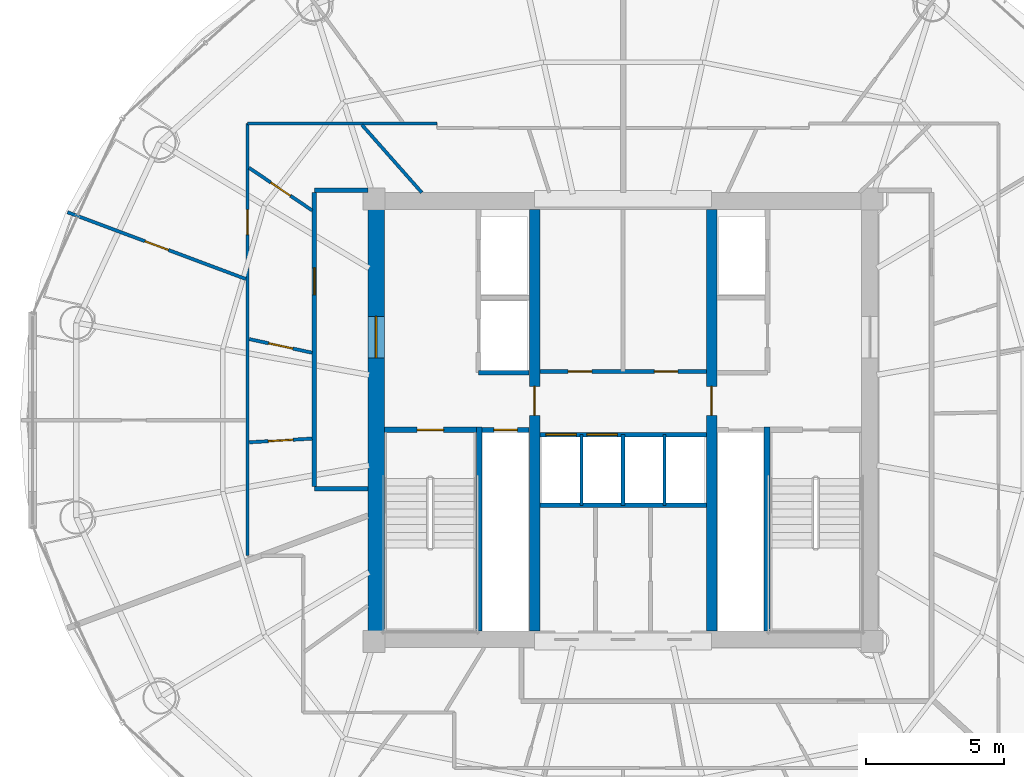
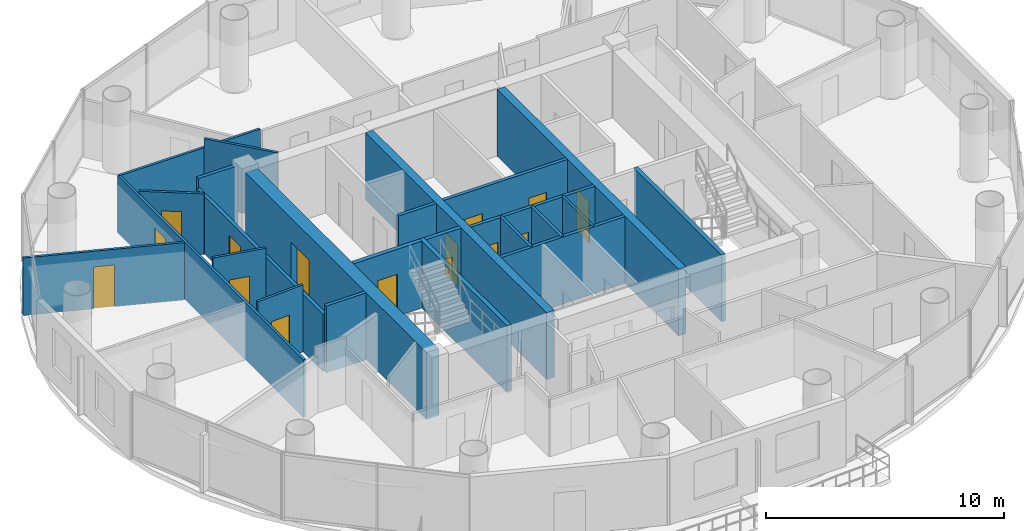
# One storey, part 21 of 26: 24 walls, 15 doors, 15 openings.
"""IFC4 building model written with IfcOpenShell, lengths in metres."""

from ifc_helpers import new_model, si_unit, direction, frame, frame_2d, origin, place, context, subcontext, project, spatial, rectangle, extrude, source, transform, mapped, material, layer, layer_set, type_object, element, fill, save


model = new_model("IFC4")

# Units and contexts
model_context = context("Model", 3, precision=1e-05, world=origin(), true_north=direction((-0.2419218956, 0.970295726276)))
body_context = subcontext(model_context, "Body", "Model", "MODEL_VIEW")
ifc_project = project(units=[si_unit("LENGTHUNIT", "METRE"), si_unit("AREAUNIT", "SQUARE_METRE"), si_unit("VOLUMEUNIT", "CUBIC_METRE"), si_unit("PLANEANGLEUNIT", "RADIAN"), si_unit("MASSUNIT", "GRAM", prefix="KILO")], contexts=[model_context])

# Site, building, storey
site_placement = place(None, origin())
site = spatial("IfcSite", under=ifc_project, at=site_placement, CompositionType="ELEMENT")
building_placement = place(site_placement, origin())
building = spatial("IfcBuilding", under=site, at=building_placement, Name="Cobrevalo Terracotta Tower", CompositionType="ELEMENT")
storey_placement = place(building_placement, frame((0.0, 0.0, 209.699951171875)))
storey = spatial("IfcBuildingStorey", under=building, at=storey_placement, Name="L55", CompositionType="ELEMENT", Elevation=209.699951171875)

# Wall, opening, door
ifc_material_1 = material(Name="Concrete C55", Category="concrete")
ifc_layer_1 = layer(ifc_material_1, 0.60009765625)
ifc_layer_set_1 = layer_set([ifc_layer_1], Name="Concrete C55")
wall_type_1 = type_object("IfcWallType", Name="Core shear wall 600 mm Concrete C55", PredefinedType="SHEAR", material=ifc_layer_set_1)
wall_1_placement = place(storey_placement, frame((29.074951171875, 19.175048828125, 0.0), z_axis=(0.0, 0.0, 1.0), x_axis=(0.0, 1.0, 0.0)))
wall_1 = element("IfcWall", 1, at=wall_1_placement, inside=storey, type_object=wall_type_1, Name="L55 west core shear wall", PredefinedType="SHEAR", context=body_context, shape_type="SweptSolid", body=[
    extrude(rectangle(XDim=15.25, YDim=0.60009765625, at=frame_2d((7.625, 0.0))), origin(), (0.0, 0.0, 1.0), 3.43505859375),
])
opening_1_placement = place(wall_1_placement, frame((9.875, 0.0, 0.0)))
opening_1 = element("IfcOpeningElement", 2, at=opening_1_placement, cuts=wall_1, Name="Opening ID-14", PredefinedType="OPENING", context=body_context, shape_type="SweptSolid", body=[
    extrude(rectangle(XDim=1.5, YDim=2.199951171875, at=frame_2d((0.75, 1.10009765625))), frame((0.0, 0.31005859375, 0.0), z_axis=(0.0, -1.0, 0.0), x_axis=(1.0, 0.0, 0.0)), (0.0, 0.0, 1.0), 0.6201171875),
])
ifc_material_2 = material(Name="Galvanized fire-rated steel", Category="steel")
door_type_1 = type_object("IfcDoorType", Name="Core cross-lobby double fire door 1500x2200 EI 90", OperationType="NOTDEFINED", PredefinedType="DOOR", material=ifc_material_2)
shared_shape_1 = source(origin(), body_context, "Body", "SweptSolid", [
    extrude(rectangle(XDim=1.5, YDim=2.199951171875, at=frame_2d((0.75, 1.10009765625))), frame((0.0, 0.02490234375, 0.0), z_axis=(0.0, -1.0, 0.0), x_axis=(1.0, 0.0, 0.0)), (0.0, 0.0, 1.0), 0.050048828125),
])
door_1_placement = place(opening_1_placement, origin())
door_1 = element("IfcDoor", 3, at=door_1_placement, inside=storey, type_object=door_type_1, Name="L55 west firefighting lobby entrance door", OperationType="DOUBLE_DOOR_SINGLE_SWING", OverallHeight=2.199951171875, OverallWidth=1.5, PredefinedType="DOOR", context=body_context, shape_type="MappedRepresentation", body=[
    mapped(shared_shape_1, transform((0.0, 0.0, 0.0), scale=1.0)),
])
fill(opening_1, door_1)

# Wall
ifc_material_3 = material(Name="Gypsum board on steel stud", Category="steel")
ifc_layer_2 = layer(ifc_material_3, 0.159912109375)
ifc_layer_set_2 = layer_set([ifc_layer_2], Name="Gypsum board on steel stud")
wall_type_2 = type_object("IfcWallType", Name="Fire-rated corridor acoustic partition wall 160 mm", PredefinedType="PARTITIONING", material=ifc_layer_set_2)
wall_2_placement = place(storey_placement, frame((32.77001953125, 28.52001953125, 0.0), z_axis=(0.0, 0.0, 1.0), x_axis=(1.0, 0.0, 0.0)))
element("IfcWall", 4, at=wall_2_placement, inside=storey, type_object=wall_type_2, Name="L55 interior partition IW-L55-FF1-S", PredefinedType="PARTITIONING", context=body_context, shape_type="SweptSolid", body=[
    extrude(rectangle(XDim=1.840087890625, YDim=0.159912109375, at=frame_2d((0.919921875, 0.0))), origin(), (0.0, 0.0, 1.0), 3.43505859375),
])

# Wall, openings, doors
wall_3_placement = place(storey_placement, frame((34.989990234375, 28.56005859375, 0.0), z_axis=(0.0, 0.0, 1.0), x_axis=(1.0, 0.0, 0.0)))
wall_3 = element("IfcWall", 5, at=wall_3_placement, inside=storey, type_object=wall_type_2, Name="L55 interior partition IW-L55-LB-S", PredefinedType="PARTITIONING", context=body_context, shape_type="SweptSolid", body=[
    extrude(rectangle(XDim=6.02001953125, YDim=0.159912109375, at=frame_2d((3.010009765625, 0.0))), origin(), (0.0, 0.0, 1.0), 3.43505859375),
])
opening_2_placement = place(wall_3_placement, frame((1.02490234375, 0.0, 0.0)))
opening_2 = element("IfcOpeningElement", 6, at=opening_2_placement, cuts=wall_3, Name="Opening ID-07", PredefinedType="OPENING", context=body_context, shape_type="SweptSolid", body=[
    extrude(rectangle(XDim=0.860107421875, YDim=2.10009765625, at=frame_2d((0.43017578125, 1.050048828125))), frame((0.0, 0.08984375, 0.0), z_axis=(0.0, -1.0, 0.0), x_axis=(1.0, 0.0, 0.0)), (0.0, 0.0, 1.0), 0.179931640625),
])
opening_3_placement = place(wall_3_placement, frame((4.139892578125, 0.0, 0.0)))
opening_3 = element("IfcOpeningElement", 7, at=opening_3_placement, cuts=wall_3, Name="Opening ID-22", PredefinedType="OPENING", context=body_context, shape_type="SweptSolid", body=[
    extrude(rectangle(XDim=0.85009765625, YDim=2.10009765625, at=frame_2d((0.425048828125, 1.050048828125))), frame((0.0, 0.08984375, 0.0), z_axis=(0.0, -1.0, 0.0), x_axis=(1.0, 0.0, 0.0)), (0.0, 0.0, 1.0), 0.179931640625),
])
ifc_material_4 = material(Name="Powder-coated steel", Category="steel")
door_type_2 = type_object("IfcDoorType", Name="Riser shaft & meter closet fire access door 850x2100 EI 60", OperationType="NOTDEFINED", PredefinedType="DOOR", material=ifc_material_4)
shared_shape_2 = source(origin(), body_context, "Body", "SweptSolid", [
    extrude(rectangle(XDim=0.85009765625, YDim=2.10009765625, at=frame_2d((0.425048828125, 1.050048828125))), frame((0.0, 0.02490234375, 0.0), z_axis=(0.0, -1.0, 0.0), x_axis=(1.0, 0.0, 0.0)), (0.0, 0.0, 1.0), 0.050048828125),
])
door_2_placement = place(opening_3_placement, origin())
door_2 = element("IfcDoor", 8, at=door_2_placement, inside=storey, type_object=door_type_2, Name="L55 core service door Floor Telecom and Metering Plant", OperationType="SINGLE_SWING_RIGHT", OverallHeight=2.10009765625, OverallWidth=0.85009765625, PredefinedType="DOOR", context=body_context, shape_type="MappedRepresentation", body=[
    mapped(shared_shape_2, transform((0.0, 0.0, 0.0), scale=1.0)),
])
fill(opening_3, door_2)
ifc_material_5 = material(Name="Fire-rated moisture-sealed timber", Category="wood")
door_type_3 = type_object("IfcDoorType", Name="Core & podium fire-rated accessible WC door 860x2100 EI 60", OperationType="NOTDEFINED", PredefinedType="DOOR", material=ifc_material_5)
shared_shape_3 = source(origin(), body_context, "Body", "SweptSolid", [
    extrude(rectangle(XDim=0.860107421875, YDim=2.10009765625, at=frame_2d((0.43017578125, 1.050048828125))), frame((0.0, 0.02490234375, 0.0), z_axis=(0.0, -1.0, 0.0), x_axis=(1.0, 0.0, 0.0)), (0.0, 0.0, 1.0), 0.050048828125),
])
door_3_placement = place(opening_2_placement, origin())
door_3 = element("IfcDoor", 9, at=door_3_placement, inside=storey, type_object=door_type_3, Name="L55 core service door Core Accessible Toilet WC", OperationType="SINGLE_SWING_LEFT", OverallHeight=2.10009765625, OverallWidth=0.860107421875, PredefinedType="DOOR", context=body_context, shape_type="MappedRepresentation", body=[
    mapped(shared_shape_3, transform((0.0, 0.0, 0.0), scale=1.0)),
])
fill(opening_2, door_3)

wall_4_placement = place(storey_placement, frame((34.989990234375, 26.280029296875, 0.0), z_axis=(0.0, 0.0, 1.0), x_axis=(1.0, 0.0, 0.0)))
wall_4 = element("IfcWall", 10, at=wall_4_placement, inside=storey, type_object=wall_type_2, Name="L55 interior partition IW-L55-MB-N", PredefinedType="PARTITIONING", context=body_context, shape_type="SweptSolid", body=[
    extrude(rectangle(XDim=6.02001953125, YDim=0.159912109375, at=frame_2d((3.010009765625, 0.0))), origin(), (0.0, 0.0, 1.0), 3.43505859375),
])
opening_4_placement = place(wall_4_placement, frame((0.22509765625, 0.0, 0.0)))
opening_4 = element("IfcOpeningElement", 11, at=opening_4_placement, cuts=wall_4, Name="Opening LD-01", PredefinedType="OPENING", context=body_context, shape_type="SweptSolid", body=[
    extrude(rectangle(XDim=1.10009765625, YDim=2.199951171875, at=frame_2d((0.550048828125, 1.10009765625))), frame((0.0, 0.08984375, 0.0), z_axis=(0.0, -1.0, 0.0), x_axis=(1.0, 0.0, 0.0)), (0.0, 0.0, 1.0), 0.179931640625),
])
opening_5_placement = place(wall_4_placement, frame((1.705078125, 0.0, 0.0)))
opening_5 = element("IfcOpeningElement", 12, at=opening_5_placement, cuts=wall_4, Name="Opening LD-01", PredefinedType="OPENING", context=body_context, shape_type="SweptSolid", body=[
    extrude(rectangle(XDim=1.10009765625, YDim=2.199951171875, at=frame_2d((0.550048828125, 1.10009765625))), frame((0.0, 0.08984375, 0.0), z_axis=(0.0, -1.0, 0.0), x_axis=(1.0, 0.0, 0.0)), (0.0, 0.0, 1.0), 0.179931640625),
])
ifc_material_6 = material(Name="Brushed stainless steel", Category="steel")
door_type_4 = type_object("IfcDoorType", Name="Passenger lift landing bi-parting sliding door 1100x2200 EI 90", OperationType="DOUBLE_DOOR_SLIDING", PredefinedType="DOOR", material=ifc_material_6)
shared_shape_4 = source(origin(), body_context, "Body", "SweptSolid", [
    extrude(rectangle(XDim=1.10009765625, YDim=2.199951171875, at=frame_2d((0.550048828125, 1.10009765625))), frame((0.0, 0.02490234375, 0.0), z_axis=(0.0, -1.0, 0.0), x_axis=(1.0, 0.0, 0.0)), (0.0, 0.0, 1.0), 0.050048828125),
])
door_4_placement = place(opening_4_placement, origin())
door_4 = element("IfcDoor", 13, at=door_4_placement, inside=storey, type_object=door_type_4, Name="L55 lift landing door PL-M1", OperationType="DOUBLE_DOOR_SLIDING", OverallHeight=2.199951171875, OverallWidth=1.10009765625, PredefinedType="DOOR", context=body_context, shape_type="MappedRepresentation", body=[
    mapped(shared_shape_4, transform((0.0, 0.0, 0.0), scale=1.0)),
])
fill(opening_4, door_4)
door_5_placement = place(opening_5_placement, origin())
door_5 = element("IfcDoor", 14, at=door_5_placement, inside=storey, type_object=door_type_4, Name="L55 lift landing door PL-M2", OperationType="DOUBLE_DOOR_SLIDING", OverallHeight=2.199951171875, OverallWidth=1.10009765625, PredefinedType="DOOR", context=body_context, shape_type="MappedRepresentation", body=[
    mapped(shared_shape_4, transform((0.0, 0.0, 0.0), scale=1.0)),
])
fill(opening_5, door_5)

# Wall
wall_5_placement = place(storey_placement, frame((34.989990234375, 23.719970703125, 0.0), z_axis=(0.0, 0.0, 1.0), x_axis=(1.0, 0.0, 0.0)))
element("IfcWall", 15, at=wall_5_placement, inside=storey, type_object=wall_type_2, Name="L55 interior partition IW-L55-MB-S", PredefinedType="PARTITIONING", context=body_context, shape_type="SweptSolid", body=[
    extrude(rectangle(XDim=6.02001953125, YDim=0.159912109375, at=frame_2d((3.010009765625, 0.0))), origin(), (0.0, 0.0, 1.0), 3.43505859375),
])

# Wall, opening, door
wall_6_placement = place(storey_placement, frame((26.844970703125, 24.39990234375, 0.0), z_axis=(0.0, 0.0, 1.0), x_axis=(0.0, 1.0, 0.0)))
wall_6 = element("IfcWall", 16, at=wall_6_placement, inside=storey, type_object=wall_type_2, Name="L55 interior partition IW-L55-COR-W", PredefinedType="PARTITIONING", context=body_context, shape_type="SweptSolid", body=[
    extrude(rectangle(XDim=10.625, YDim=0.159912109375, at=frame_2d((5.3125, 0.0))), origin(), (0.0, 0.0, 1.0), 2.950927734375),
])
opening_6_placement = place(wall_6_placement, frame((6.92724609375, 0.0, 0.0)))
opening_6 = element("IfcOpeningElement", 17, at=opening_6_placement, cuts=wall_6, Name="Opening ID-05", PredefinedType="OPENING", context=body_context, shape_type="SweptSolid", body=[
    extrude(rectangle(XDim=0.97998046875, YDim=2.199951171875, at=frame_2d((0.489990234375, 1.10009765625))), frame((0.0, 0.08984375, 0.0), z_axis=(0.0, -1.0, 0.0), x_axis=(1.0, 0.0, 0.0)), (0.0, 0.0, 1.0), 0.179931640625),
])
ifc_material_7 = material(Name="Solid hardwood timber", Category="wood")
door_type_5 = type_object("IfcDoorType", Name="Residence entrance fire-rated acoustic timber door 980x2200 EI 60", OperationType="NOTDEFINED", PredefinedType="DOOR", material=ifc_material_7)
shared_shape_5 = source(origin(), body_context, "Body", "SweptSolid", [
    extrude(rectangle(XDim=0.97998046875, YDim=2.199951171875, at=frame_2d((0.489990234375, 1.10009765625))), frame((0.0, 0.02490234375, 0.0), z_axis=(0.0, -1.0, 0.0), x_axis=(1.0, 0.0, 0.0)), (0.0, 0.0, 1.0), 0.050048828125),
])
door_6_placement = place(opening_6_placement, origin())
door_6 = element("IfcDoor", 18, at=door_6_placement, inside=storey, type_object=door_type_5, Name="Flat L55A fire-rated apartment entrance door", OperationType="SINGLE_SWING_RIGHT", OverallHeight=2.199951171875, OverallWidth=0.97998046875, PredefinedType="DOOR", context=body_context, shape_type="MappedRepresentation", body=[
    mapped(shared_shape_5, transform((0.0, 0.0, 0.0), scale=1.0)),
])
fill(opening_6, door_6)

# Walls
for number, where, z_axis, x_axis, name in (
    (19, (26.844970703125, 35.10498046875, 0.0), (0.0, 0.0, 1.0), (1.0, 0.0, 0.0), "L55 interior partition IW-L55-COR-WN-CAP"),
    (20, (26.844970703125, 24.320068359375, 0.0), (0.0, 0.0, 1.0), (1.0, 0.0, 0.0), "L55 interior partition IW-L55-COR-WS-CAP"),
):
    element("IfcWall", number, at=place(storey_placement, frame(where, z_axis=z_axis, x_axis=x_axis)), inside=storey, type_object=wall_type_2, Name=name, PredefinedType="PARTITIONING", context=body_context, shape_type="SweptSolid", body=[
        extrude(rectangle(XDim=1.929931640625, YDim=0.159912109375, at=frame_2d((0.96484375, 0.0))), origin(), (0.0, 0.0, 1.0), 3.43505859375),
    ])

# Wall, opening, door
ifc_layer_3 = layer(ifc_material_3, 0.179931640625)
ifc_layer_set_3 = layer_set([ifc_layer_3], Name="Gypsum board on steel stud")
wall_type_3 = type_object("IfcWallType", Name="Fire-rated shaft & lobby acoustic partition wall 180 mm", PredefinedType="PARTITIONING", material=ifc_layer_set_3)
wall_7_placement = place(storey_placement, frame((32.89990234375, 26.449951171875, 0.0), z_axis=(0.0, 0.0, 1.0), x_axis=(1.0, 0.0, 0.0)))
wall_7 = element("IfcWall", 21, at=wall_7_placement, inside=storey, type_object=wall_type_3, Name="L55 interior partition IW-L55-RSW-N", PredefinedType="PARTITIONING", context=body_context, shape_type="SweptSolid", body=[
    extrude(rectangle(XDim=1.710205078125, YDim=0.179931640625, at=frame_2d((0.85498046875, 0.0))), origin(), (0.0, 0.0, 1.0), 3.43505859375),
])
opening_7_placement = place(wall_7_placement, frame((0.429931640625, 0.0, 0.0)))
opening_7 = element("IfcOpeningElement", 22, at=opening_7_placement, cuts=wall_7, Name="Opening ID-22", PredefinedType="OPENING", context=body_context, shape_type="SweptSolid", body=[
    extrude(rectangle(XDim=0.85009765625, YDim=2.10009765625, at=frame_2d((0.425048828125, 1.050048828125))), frame((0.0, 0.10009765625, 0.0), z_axis=(0.0, -1.0, 0.0), x_axis=(1.0, 0.0, 0.0)), (0.0, 0.0, 1.0), 0.199951171875),
])
door_7_placement = place(opening_7_placement, origin())
door_7 = element("IfcDoor", 23, at=door_7_placement, inside=storey, type_object=door_type_2, Name="L55 riser access door RSW", OperationType="SINGLE_SWING_LEFT", OverallHeight=2.10009765625, OverallWidth=0.85009765625, PredefinedType="DOOR", context=body_context, shape_type="MappedRepresentation", body=[
    mapped(shared_shape_2, transform((0.0, 0.0, 0.0), scale=1.0)),
])
fill(opening_7, door_7)

# Walls
ifc_material_8 = material(Name="Autoclaved aerated concrete block", Category="concrete")
ifc_layer_4 = layer(ifc_material_8, 0.1201171875)
ifc_layer_set_4 = layer_set([ifc_layer_4], Name="Autoclaved aerated concrete block")
wall_type_4 = type_object("IfcWallType", Name="Fire-rated wet-room & core service partition 120 mm", PredefinedType="PARTITIONING", material=ifc_layer_set_4)
for number, where, z_axis, x_axis, name in (
    (24, (36.5, 23.719970703125, 0.0), (0.0, 0.0, 1.0), (0.0, 1.0, 0.0), "L55 interior partition IW-L55-MB-D1"),
    (25, (39.5, 23.719970703125, 0.0), (0.0, 0.0, 1.0), (0.0, 1.0, 0.0), "L55 interior partition IW-L55-MB-D3"),
):
    element("IfcWall", number, at=place(storey_placement, frame(where, z_axis=z_axis, x_axis=x_axis)), inside=storey, type_object=wall_type_4, Name=name, PredefinedType="PARTITIONING", context=body_context, shape_type="SweptSolid", body=[
        extrude(rectangle(XDim=2.56005859375, YDim=0.1201171875, at=frame_2d((1.280029296875, 0.0))), origin(), (0.0, 0.0, 1.0), 3.43505859375),
    ])

# Wall, opening, door
ifc_material_9 = material(Name="Concrete C50", Category="concrete")
ifc_layer_5 = layer(ifc_material_9, 0.3798828125)
ifc_layer_set_5 = layer_set([ifc_layer_5], Name="Concrete C50")
wall_type_5 = type_object("IfcWallType", Name="Internal core shear web wall 380 mm Concrete C50", PredefinedType="SHEAR", material=ifc_layer_set_5)
wall_8_placement = place(storey_placement, frame((34.800048828125, 19.175048828125, 0.0), z_axis=(0.0, 0.0, 1.0), x_axis=(0.0, 1.0, 0.0)))
wall_8 = element("IfcWall", 26, at=wall_8_placement, inside=storey, type_object=wall_type_5, Name="L55 internal core shear wall WEB-W", PredefinedType="SHEAR", context=body_context, shape_type="SweptSolid", body=[
    extrude(rectangle(XDim=15.25, YDim=0.3798828125, at=frame_2d((7.625, 0.0))), origin(), (0.0, 0.0, 1.0), 3.43505859375),
])
opening_8_placement = place(wall_8_placement, frame((7.800048828125, 0.0, 0.0)))
opening_8 = element("IfcOpeningElement", 27, at=opening_8_placement, cuts=wall_8, Name="Opening ID-11", PredefinedType="OPENING", context=body_context, shape_type="SweptSolid", body=[
    extrude(rectangle(XDim=1.050048828125, YDim=2.14990234375, at=frame_2d((0.52490234375, 1.074951171875))), frame((0.0, 0.199951171875, 0.0), z_axis=(0.0, -1.0, 0.0), x_axis=(1.0, 0.0, 0.0)), (0.0, 0.0, 1.0), 0.39990234375),
])
door_type_6 = type_object("IfcDoorType", Name="Core concourse cross fire door 1050x2150 EI 90", OperationType="NOTDEFINED", PredefinedType="DOOR", material=ifc_material_2)
shared_shape_6 = source(origin(), body_context, "Body", "SweptSolid", [
    extrude(rectangle(XDim=1.050048828125, YDim=2.14990234375, at=frame_2d((0.52490234375, 1.074951171875))), frame((0.0, 0.02490234375, 0.0), z_axis=(0.0, -1.0, 0.0), x_axis=(1.0, 0.0, 0.0)), (0.0, 0.0, 1.0), 0.050048828125),
])
door_8_placement = place(opening_8_placement, origin())
door_8 = element("IfcDoor", 28, at=door_8_placement, inside=storey, type_object=door_type_6, Name="L55 west core concourse cross door", OperationType="SINGLE_SWING_LEFT", OverallHeight=2.14990234375, OverallWidth=1.050048828125, PredefinedType="DOOR", context=body_context, shape_type="MappedRepresentation", body=[
    mapped(shared_shape_6, transform((0.0, 0.0, 0.0), scale=1.0)),
])
fill(opening_8, door_8)

wall_9_placement = place(storey_placement, frame((41.199951171875, 19.175048828125, 0.0), z_axis=(0.0, 0.0, 1.0), x_axis=(0.0, 1.0, 0.0)))
wall_9 = element("IfcWall", 29, at=wall_9_placement, inside=storey, type_object=wall_type_5, Name="L55 internal core shear wall WEB-E", PredefinedType="SHEAR", context=body_context, shape_type="SweptSolid", body=[
    extrude(rectangle(XDim=15.25, YDim=0.3798828125, at=frame_2d((7.625, 0.0))), origin(), (0.0, 0.0, 1.0), 3.43505859375),
])
opening_9_placement = place(wall_9_placement, frame((7.800048828125, 0.0, 0.0)))
opening_9 = element("IfcOpeningElement", 30, at=opening_9_placement, cuts=wall_9, Name="Opening ID-11", PredefinedType="OPENING", context=body_context, shape_type="SweptSolid", body=[
    extrude(rectangle(XDim=1.050048828125, YDim=2.14990234375, at=frame_2d((0.52490234375, 1.074951171875))), frame((0.0, 0.199951171875, 0.0), z_axis=(0.0, -1.0, 0.0), x_axis=(1.0, 0.0, 0.0)), (0.0, 0.0, 1.0), 0.39990234375),
])
door_9_placement = place(opening_9_placement, frame((1.050048828125, 0.0, 0.0), z_axis=(0.0, 0.0, 1.0), x_axis=(-1.0, 0.0, 0.0)))
door_9 = element("IfcDoor", 31, at=door_9_placement, inside=storey, type_object=door_type_6, Name="L55 east core concourse cross door", OperationType="SINGLE_SWING_RIGHT", OverallHeight=2.14990234375, OverallWidth=1.050048828125, PredefinedType="DOOR", context=body_context, shape_type="MappedRepresentation", body=[
    mapped(shared_shape_6, transform((0.0, 0.0, 0.0), scale=1.0)),
])
fill(opening_9, door_9)

# Wall
ifc_layer_6 = layer(ifc_material_8, 0.139892578125)
ifc_layer_set_6 = layer_set([ifc_layer_6], Name="Autoclaved aerated concrete block")
wall_type_6 = type_object("IfcWallType", Name="Moisture-resistant wet-room & core service partition 140 mm", PredefinedType="PARTITIONING", material=ifc_layer_set_6)
wall_10_placement = place(storey_placement, frame((38.0, 23.719970703125, 0.0), z_axis=(0.0, 0.0, 1.0), x_axis=(0.0, 1.0, 0.0)))
element("IfcWall", 32, at=wall_10_placement, inside=storey, type_object=wall_type_6, Name="L55 interior partition IW-L55-MB-D2", PredefinedType="PARTITIONING", context=body_context, shape_type="SweptSolid", body=[
    extrude(rectangle(XDim=2.56005859375, YDim=0.139892578125, at=frame_2d((1.280029296875, 0.0))), origin(), (0.0, 0.0, 1.0), 3.43505859375),
])

# Wall, opening, door
ifc_layer_7 = layer(ifc_material_3, 0.1201171875)
ifc_layer_set_7 = layer_set([ifc_layer_7], Name="Gypsum board on steel stud")
wall_type_7 = type_object("IfcWallType", Name="Residential internal acoustic stud partition 120 mm", PredefinedType="PARTITIONING", material=ifc_layer_set_7)
wall_11_placement = place(storey_placement, frame((24.425048828125, 21.89990234375, 0.0), z_axis=(0.0, 0.0, 1.0), x_axis=(0.0, 1.0, 0.0)))
wall_11 = element("IfcWall", 33, at=wall_11_placement, inside=storey, type_object=wall_type_7, Name="L55 interior partition IW-L55-U1-RING1_0", PredefinedType="PARTITIONING", context=body_context, shape_type="SweptSolid", body=[
    extrude(rectangle(XDim=15.625, YDim=0.1201171875, at=frame_2d((7.8125, 0.0))), origin(), (0.0, 0.0, 1.0), 2.950927734375),
])
opening_10_placement = place(wall_11_placement, frame((11.611083984375, 0.0, 0.0)))
opening_10 = element("IfcOpeningElement", 34, at=opening_10_placement, cuts=wall_11, Name="Opening ID-12", PredefinedType="OPENING", context=body_context, shape_type="SweptSolid", body=[
    extrude(rectangle(XDim=0.89990234375, YDim=2.14990234375, at=frame_2d((0.449951171875, 1.074951171875))), frame((0.0, 0.070068359375, 0.0), z_axis=(0.0, -1.0, 0.0), x_axis=(1.0, 0.0, 0.0)), (0.0, 0.0, 1.0), 0.14013671875),
])
ifc_material_10 = material(Name="Engineered timber", Category="wood")
door_type_7 = type_object("IfcDoorType", Name="Internal residence & suite timber door 900x2150", OperationType="NOTDEFINED", PredefinedType="DOOR", material=ifc_material_10)
shared_shape_7 = source(origin(), body_context, "Body", "SweptSolid", [
    extrude(rectangle(XDim=0.89990234375, YDim=2.14990234375, at=frame_2d((0.449951171875, 1.074951171875))), frame((0.0, 0.02490234375, 0.0), z_axis=(0.0, -1.0, 0.0), x_axis=(1.0, 0.0, 0.0)), (0.0, 0.0, 1.0), 0.050048828125),
])
door_10_placement = place(opening_10_placement, origin())
door_10 = element("IfcDoor", 35, at=door_10_placement, inside=storey, type_object=door_type_7, Name="Flat L55A Master Bedroom internal door", OperationType="SINGLE_SWING_RIGHT", OverallHeight=2.14990234375, OverallWidth=0.89990234375, PredefinedType="DOOR", context=body_context, shape_type="MappedRepresentation", body=[
    mapped(shared_shape_7, transform((0.0, 0.0, 0.0), scale=1.0)),
])
fill(opening_10, door_10)

# Wall
wall_12_placement = place(storey_placement, frame((24.425048828125, 37.52490234375, 0.0), z_axis=(0.0, 0.0, 1.0), x_axis=(1.0, 0.0, 0.0)))
element("IfcWall", 36, at=wall_12_placement, inside=storey, type_object=wall_type_7, Name="L55 interior partition IW-L55-U1-RING2_0", PredefinedType="PARTITIONING", context=body_context, shape_type="SweptSolid", body=[
    extrude(rectangle(XDim=6.849853515625, YDim=0.1201171875, at=frame_2d((3.4248046875, 0.0))), origin(), (0.0, 0.0, 1.0), 2.950927734375),
])

# Wall, opening, door
wall_13_placement = place(storey_placement, frame((24.366943359375, 31.903076171875, 0.0), z_axis=(0.0, 0.0, 1.0), x_axis=(-0.936544604529, 0.350548432785, 0.0)))
wall_13 = element("IfcWall", 37, at=wall_13_placement, inside=storey, type_object=wall_type_7, Name="L55 interior partition IW-L55-U1-ORAD2", PredefinedType="PARTITIONING", context=body_context, shape_type="SweptSolid", body=[
    extrude(rectangle(XDim=6.88720703125, YDim=0.1201171875, at=frame_2d((3.443603515625, 0.0))), origin(), (0.0, 0.0, 1.0), 2.950927734375),
])
opening_11_placement = place(wall_13_placement, frame((2.99365234375, 0.0, 0.0)))
opening_11 = element("IfcOpeningElement", 38, at=opening_11_placement, cuts=wall_13, Name="Opening ID-12", PredefinedType="OPENING", context=body_context, shape_type="SweptSolid", body=[
    extrude(rectangle(XDim=0.89990234375, YDim=2.14990234375, at=frame_2d((0.449951171875, 1.074951171875))), frame((0.0, 0.070068359375, 0.0), z_axis=(0.0, -1.0, 0.0), x_axis=(1.0, 0.0, 0.0)), (0.0, 0.0, 1.0), 0.14013671875),
])
door_11_placement = place(opening_11_placement, origin())
door_11 = element("IfcDoor", 39, at=door_11_placement, inside=storey, type_object=door_type_7, Name="Flat L55A Principal Guest Bedroom internal door", OperationType="SINGLE_SWING_LEFT", OverallHeight=2.14990234375, OverallWidth=0.89990234375, PredefinedType="DOOR", context=body_context, shape_type="MappedRepresentation", body=[
    mapped(shared_shape_7, transform((0.0, 0.0, 0.0), scale=1.0)),
])
fill(opening_11, door_11)

# Wall
wall_14_placement = place(storey_placement, frame((30.726318359375, 35.026611328125, 0.0), z_axis=(0.0, 0.0, 1.0), x_axis=(-0.662398427862, 0.749151735475, 0.0)))
element("IfcWall", 40, at=wall_14_placement, inside=storey, type_object=wall_type_7, Name="L55 interior partition IW-L55-U1-IRAD2", PredefinedType="PARTITIONING", context=body_context, shape_type="SweptSolid", body=[
    extrude(rectangle(XDim=3.27294921875, YDim=0.1201171875, at=frame_2d((1.636474609375, 0.0))), origin(), (0.0, 0.0, 1.0), 3.43505859375),
])

# Wall, opening, door
wall_15_placement = place(storey_placement, frame((26.764892578125, 34.38134765625, 0.0), z_axis=(0.0, 0.0, 1.0), x_axis=(-0.828908126494, 0.55938476725, 0.0)))
wall_15 = element("IfcWall", 41, at=wall_15_placement, inside=storey, type_object=wall_type_7, Name="L55 interior partition IW-L55-U1-IRAD3", PredefinedType="PARTITIONING", context=body_context, shape_type="SweptSolid", body=[
    extrude(rectangle(XDim=2.760986328125, YDim=0.1201171875, at=frame_2d((1.38037109375, 0.0))), origin(), (0.0, 0.0, 1.0), 3.110107421875),
])
opening_12_placement = place(wall_15_placement, frame((0.950439453125, 0.0, 0.0)))
opening_12 = element("IfcOpeningElement", 42, at=opening_12_placement, cuts=wall_15, Name="Opening ID-19", PredefinedType="OPENING", context=body_context, shape_type="SweptSolid", body=[
    extrude(rectangle(XDim=0.860107421875, YDim=2.14990234375, at=frame_2d((0.43017578125, 1.074951171875))), frame((0.0, 0.070068359375, 0.0), z_axis=(0.0, -1.0, 0.0), x_axis=(1.0, 0.0, 0.0)), (0.0, 0.0, 1.0), 0.14013671875),
])
ifc_material_11 = material(Name="Moisture-sealed timber", Category="wood")
door_type_8 = type_object("IfcDoorType", Name="Suite bathroom internal timber door 860x2150", OperationType="NOTDEFINED", PredefinedType="DOOR", material=ifc_material_11)
shared_shape_8 = source(origin(), body_context, "Body", "SweptSolid", [
    extrude(rectangle(XDim=0.860107421875, YDim=2.14990234375, at=frame_2d((0.43017578125, 1.074951171875))), frame((0.0, 0.02490234375, 0.0), z_axis=(0.0, -1.0, 0.0), x_axis=(1.0, 0.0, 0.0)), (0.0, 0.0, 1.0), 0.050048828125),
])
door_12_placement = place(opening_12_placement, frame((0.860107421875, 0.0, 0.0), z_axis=(0.0, 0.0, 1.0), x_axis=(-1.0, 0.0, 0.0)))
door_12 = element("IfcDoor", 43, at=door_12_placement, inside=storey, type_object=door_type_8, Name="Flat L55A Primary Bathroom internal door", OperationType="SINGLE_SWING_LEFT", OverallHeight=2.14990234375, OverallWidth=0.860107421875, PredefinedType="DOOR", context=body_context, shape_type="MappedRepresentation", body=[
    mapped(shared_shape_8, transform((0.0, 0.0, 0.0), scale=1.0)),
])
fill(opening_12, door_12)

wall_16_placement = place(storey_placement, frame((26.764892578125, 29.237548828125, 0.0), z_axis=(0.0, 0.0, 1.0), x_axis=(-0.977275456013, 0.211973307458, 0.0)))
wall_16 = element("IfcWall", 44, at=wall_16_placement, inside=storey, type_object=wall_type_7, Name="L55 interior partition IW-L55-U1-IRAD4", PredefinedType="PARTITIONING", context=body_context, shape_type="SweptSolid", body=[
    extrude(rectangle(XDim=2.332275390625, YDim=0.1201171875, at=frame_2d((1.166015625, 0.0))), origin(), (0.0, 0.0, 1.0), 3.43505859375),
])
opening_13_placement = place(wall_16_placement, frame((0.71630859375, 0.0, 0.0)))
opening_13 = element("IfcOpeningElement", 45, at=opening_13_placement, cuts=wall_16, Name="Opening ID-12", PredefinedType="OPENING", context=body_context, shape_type="SweptSolid", body=[
    extrude(rectangle(XDim=0.89990234375, YDim=2.14990234375, at=frame_2d((0.449951171875, 1.074951171875))), frame((0.0, 0.070068359375, 0.0), z_axis=(0.0, -1.0, 0.0), x_axis=(1.0, 0.0, 0.0)), (0.0, 0.0, 1.0), 0.14013671875),
])
door_13_placement = place(opening_13_placement, origin())
door_13 = element("IfcDoor", 46, at=door_13_placement, inside=storey, type_object=door_type_7, Name="Flat L55A Kitchen internal door", OperationType="SINGLE_SWING_RIGHT", OverallHeight=2.14990234375, OverallWidth=0.89990234375, PredefinedType="DOOR", context=body_context, shape_type="MappedRepresentation", body=[
    mapped(shared_shape_7, transform((0.0, 0.0, 0.0), scale=1.0)),
])
fill(opening_13, door_13)

wall_17_placement = place(storey_placement, frame((26.764892578125, 26.134521484375, 0.0), z_axis=(0.0, 0.0, 1.0), x_axis=(-0.998248453424, -0.059161011118, 0.0)))
wall_17 = element("IfcWall", 47, at=wall_17_placement, inside=storey, type_object=wall_type_7, Name="L55 interior partition IW-L55-U1-IRAD5", PredefinedType="PARTITIONING", context=body_context, shape_type="SweptSolid", body=[
    extrude(rectangle(XDim=2.281982421875, YDim=0.1201171875, at=frame_2d((1.14111328125, 0.0))), origin(), (0.0, 0.0, 1.0), 3.43505859375),
])
opening_14_placement = place(wall_17_placement, frame((0.691162109375, 0.0, 0.0)))
opening_14 = element("IfcOpeningElement", 48, at=opening_14_placement, cuts=wall_17, Name="Opening ID-12", PredefinedType="OPENING", context=body_context, shape_type="SweptSolid", body=[
    extrude(rectangle(XDim=0.89990234375, YDim=2.14990234375, at=frame_2d((0.449951171875, 1.074951171875))), frame((0.0, 0.070068359375, 0.0), z_axis=(0.0, -1.0, 0.0), x_axis=(1.0, 0.0, 0.0)), (0.0, 0.0, 1.0), 0.14013671875),
])
door_14_placement = place(opening_14_placement, origin())
door_14 = element("IfcDoor", 49, at=door_14_placement, inside=storey, type_object=door_type_7, Name="Flat L55A Utility Closet internal door", OperationType="SINGLE_SWING_LEFT", OverallHeight=2.14990234375, OverallWidth=0.89990234375, PredefinedType="DOOR", context=body_context, shape_type="MappedRepresentation", body=[
    mapped(shared_shape_7, transform((0.0, 0.0, 0.0), scale=1.0)),
])
fill(opening_14, door_14)

# Wall
ifc_layer_8 = layer(ifc_material_9, 0.199951171875)
ifc_layer_set_8 = layer_set([ifc_layer_8], Name="Concrete C50")
wall_type_8 = type_object("IfcWallType", Name="Structural core & podium stair-shaft RC wall 200 mm Concrete C50", PredefinedType="SOLIDWALL", material=ifc_layer_set_8)
wall_18_placement = place(storey_placement, frame((32.794921875, 19.175048828125, 0.0), z_axis=(0.0, 0.0, 1.0), x_axis=(0.0, 1.0, 0.0)))
element("IfcWall", 50, at=wall_18_placement, inside=storey, type_object=wall_type_8, Name="L55 ST-1 east structural shaft wall", PredefinedType="SOLIDWALL", context=body_context, shape_type="SweptSolid", body=[
    extrude(rectangle(XDim=7.375, YDim=0.199951171875, at=frame_2d((3.6875, 0.0))), origin(), (0.0, 0.0, 1.0), 3.43505859375),
])

# Wall, opening, door
wall_19_placement = place(storey_placement, frame((29.375, 26.449951171875, 0.0), z_axis=(0.0, 0.0, 1.0), x_axis=(1.0, 0.0, 0.0)))
wall_19 = element("IfcWall", 51, at=wall_19_placement, inside=storey, type_object=wall_type_8, Name="L55 ST-1 north structural shaft wall", PredefinedType="SOLIDWALL", context=body_context, shape_type="SweptSolid", body=[
    extrude(rectangle(XDim=3.320068359375, YDim=0.199951171875, at=frame_2d((1.66015625, 0.0))), origin(), (0.0, 0.0, 1.0), 3.43505859375),
])
opening_15_placement = place(wall_19_placement, frame((1.18505859375, 0.0, 0.0)))
opening_15 = element("IfcOpeningElement", 52, at=opening_15_placement, cuts=wall_19, Name="Opening ID-04", PredefinedType="OPENING", context=body_context, shape_type="SweptSolid", body=[
    extrude(rectangle(XDim=0.949951171875, YDim=2.14990234375, at=frame_2d((0.47509765625, 1.074951171875))), frame((0.0, 0.10986328125, 0.0), z_axis=(0.0, -1.0, 0.0), x_axis=(1.0, 0.0, 0.0)), (0.0, 0.0, 1.0), 0.219970703125),
])
door_type_9 = type_object("IfcDoorType", Name="Stair & firefighting lobby fire door 950x2150 EI 90", OperationType="NOTDEFINED", PredefinedType="DOOR", material=ifc_material_2)
shared_shape_9 = source(origin(), body_context, "Body", "SweptSolid", [
    extrude(rectangle(XDim=0.949951171875, YDim=2.14990234375, at=frame_2d((0.47509765625, 1.074951171875))), frame((0.0, 0.02490234375, 0.0), z_axis=(0.0, -1.0, 0.0), x_axis=(1.0, 0.0, 0.0)), (0.0, 0.0, 1.0), 0.050048828125),
])
door_15_placement = place(opening_15_placement, origin())
door_15 = element("IfcDoor", 53, at=door_15_placement, inside=storey, type_object=door_type_9, Name="L55 protected stair ST1 fire door", OperationType="SINGLE_SWING_LEFT", OverallHeight=2.14990234375, OverallWidth=0.949951171875, PredefinedType="DOOR", context=body_context, shape_type="MappedRepresentation", body=[
    mapped(shared_shape_9, transform((0.0, 0.0, 0.0), scale=1.0)),
])
fill(opening_15, door_15)

# Wall
wall_20_placement = place(storey_placement, frame((43.205078125, 19.175048828125, 0.0), z_axis=(0.0, 0.0, 1.0), x_axis=(0.0, 1.0, 0.0)))
element("IfcWall", 54, at=wall_20_placement, inside=storey, type_object=wall_type_8, Name="L55 ST-2 west structural shaft wall", PredefinedType="SOLIDWALL", context=body_context, shape_type="SweptSolid", body=[
    extrude(rectangle(XDim=7.375, YDim=0.199951171875, at=frame_2d((3.6875, 0.0))), origin(), (0.0, 0.0, 1.0), 3.43505859375),
])

save(model, "model.ifc")
